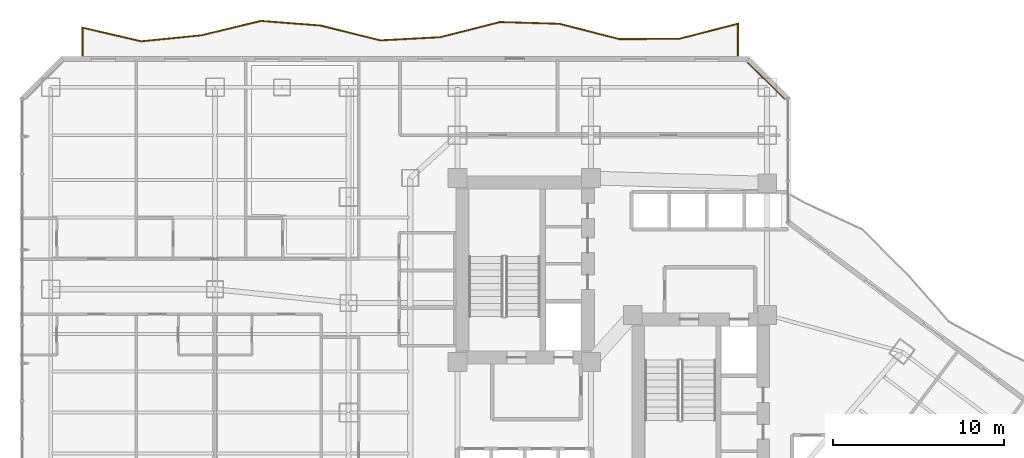
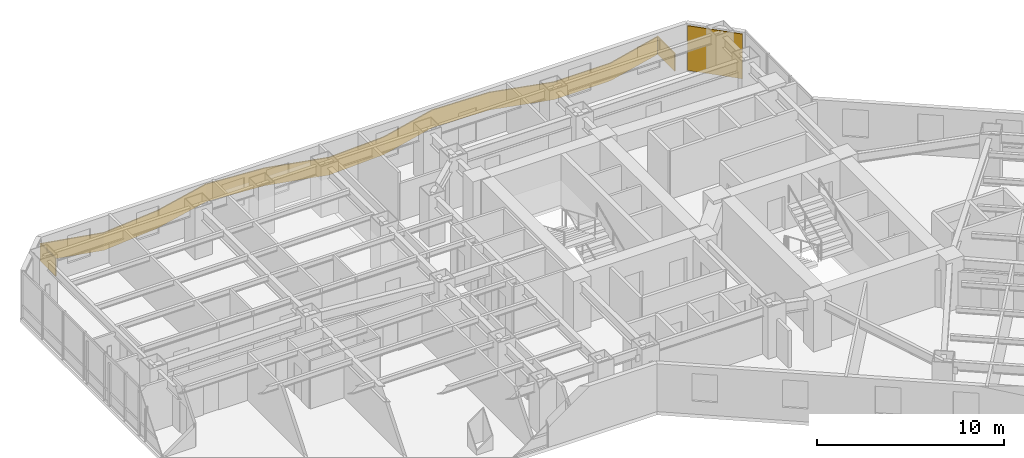
# One storey, part 36 of 37: 1 covering, 1 railing.
"""IFC4 building model written with IfcOpenShell, lengths in metres."""

from ifc_helpers import new_model, si_unit, direction, frame, origin, origin_2d, place, context, subcontext, project, spatial, polyline, rectangle, outline, extrude, material, layer, layer_set, type_object, element, save


model = new_model("IFC4")

# Units and contexts
model_context = context("Model", 3, precision=1e-05, world=origin(), true_north=direction((0.0, 1.0)))
body_context = subcontext(model_context, "Body", "Model", "MODEL_VIEW")
ifc_project = project(units=[si_unit("LENGTHUNIT", "METRE"), si_unit("AREAUNIT", "SQUARE_METRE"), si_unit("VOLUMEUNIT", "CUBIC_METRE"), si_unit("PLANEANGLEUNIT", "RADIAN"), si_unit("MASSUNIT", "GRAM", prefix="KILO")], contexts=[model_context])

# Site, building, storey
site_placement = place(None, origin())
site = spatial("IfcSite", under=ifc_project, at=site_placement, CompositionType="ELEMENT")
building_placement = place(site_placement, origin())
building = spatial("IfcBuilding", under=site, at=building_placement, Name="Hatsunagi Terrace Concourse", CompositionType="ELEMENT")
storey_placement = place(building_placement, frame((0.0, 0.0, 50.0)))
storey = spatial("IfcBuildingStorey", under=building, at=storey_placement, Name="L12", CompositionType="ELEMENT", Elevation=50.0)

# Railing
ifc_material_1 = material(Name="Laminated Glass and Stainless Steel Guard", Category="steel")
ifc_layer_1 = layer(ifc_material_1, 0.070068359375)
ifc_layer_set_1 = layer_set([ifc_layer_1], Name="BalconyGlassGuardRail_1150")
railing_type = type_object("IfcRailingType", Name="BalconyGlassGuardRail_1150", PredefinedType="BALUSTRADE", material=ifc_layer_set_1)
railing_placement = place(storey_placement, origin())
element("IfcRailing", 1, at=railing_placement, inside=storey, type_object=railing_type, Name="Engawa Balcony Guard GRD-01 L12-BN-1", PredefinedType="BALUSTRADE", context=body_context, shape_type="SweptSolid", body=[
    extrude(outline(polyline([(3.614990234375, 50.449951171875), (3.68505859375, 50.449951171875), (3.68505859375, 52.0439453125), (7.085693359375, 51.255615234375), (10.595947265625, 51.607421875), (14.079833984375, 52.44775390625), (17.55029296875, 52.17919921875), (21.046630859375, 51.311767578125), (24.558349609375, 51.498291015625), (28.0458984375, 52.3828125), (31.51513671875, 52.281005859375), (35.0078125, 51.385986328125), (38.51953125, 51.403076171875), (41.9150390625, 52.27587890625), (41.9150390625, 50.449951171875), (41.985107421875, 50.449951171875), (41.985107421875, 52.3662109375), (38.510498046875, 51.472900390625), (35.016357421875, 51.4560546875), (31.52490234375, 52.350830078125), (28.0380859375, 52.453125), (24.547607421875, 51.56787109375), (21.053466796875, 51.382080078125), (17.5615234375, 52.248779296875), (14.07421875, 52.518310546875), (10.583984375, 51.676513671875), (7.09033203125, 51.326416015625), (3.614990234375, 52.132080078125), (3.614990234375, 50.449951171875)])), origin(), (0.0, 0.0, 1.0), 1.14990234375),
])

# Covering
ifc_material_2 = material(Name="Unglazed Warm Terracotta Rainscreen Tile", Category="masonry")
ifc_layer_2 = layer(ifc_material_2, 0.044921875)
ifc_layer_set_2 = layer_set([ifc_layer_2], Name="TerracottaRainscreenCladding_45")
covering_type = type_object("IfcCoveringType", Name="TerracottaRainscreenCladding_45", PredefinedType="CLADDING", material=ifc_layer_set_2)
covering_placement = place(storey_placement, frame((43.5859375, 48.986083984375, 0.10009765625), z_axis=(0.0, 0.0, 1.0), x_axis=(0.707106781187, -0.707106781187, 0.0)))
element("IfcCovering", 2, at=covering_placement, inside=storey, type_object=covering_type, Name="Terracotta Rainscreen Cladding L12-12", PredefinedType="CLADDING", context=body_context, shape_type="SweptSolid", body=[
    extrude(rectangle(XDim=3.0380859375, YDim=0.044921875, at=origin_2d()), origin(), (0.0, 0.0, 1.0), 2.929931640625),
])

save(model, "model.ifc")
